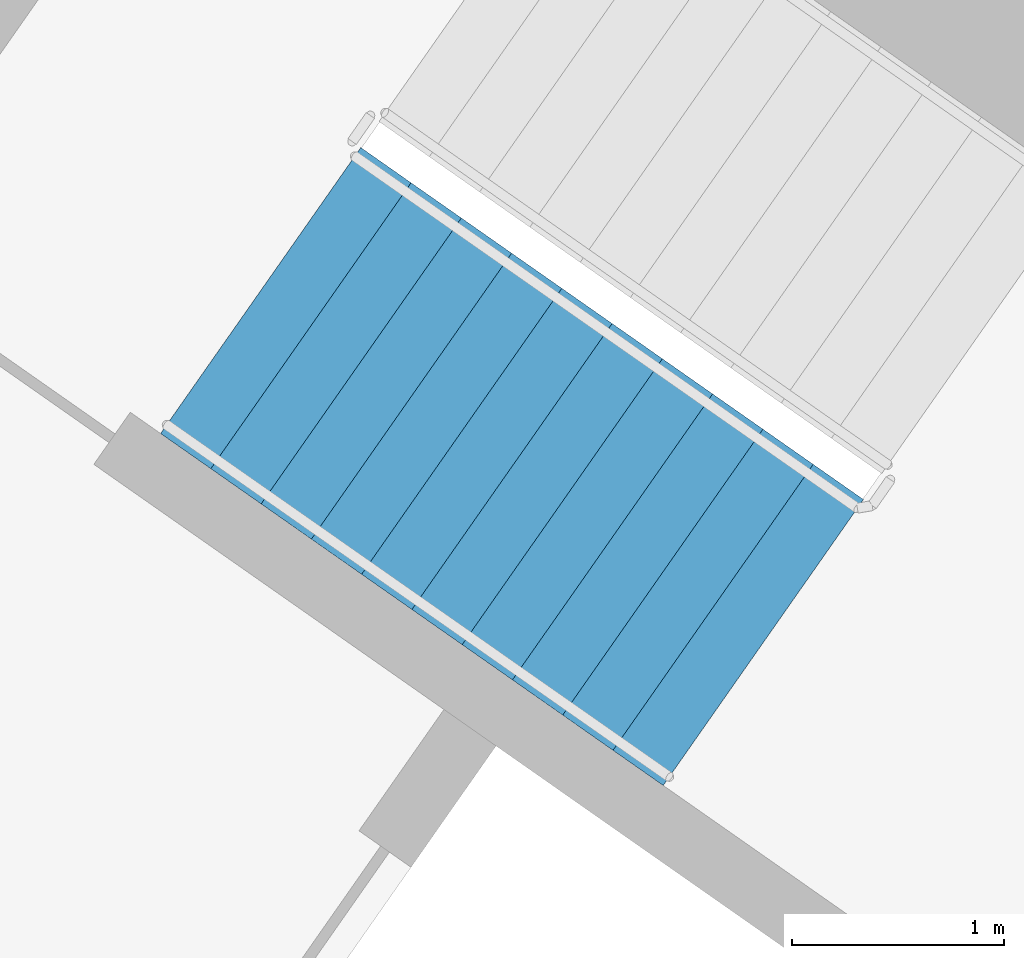
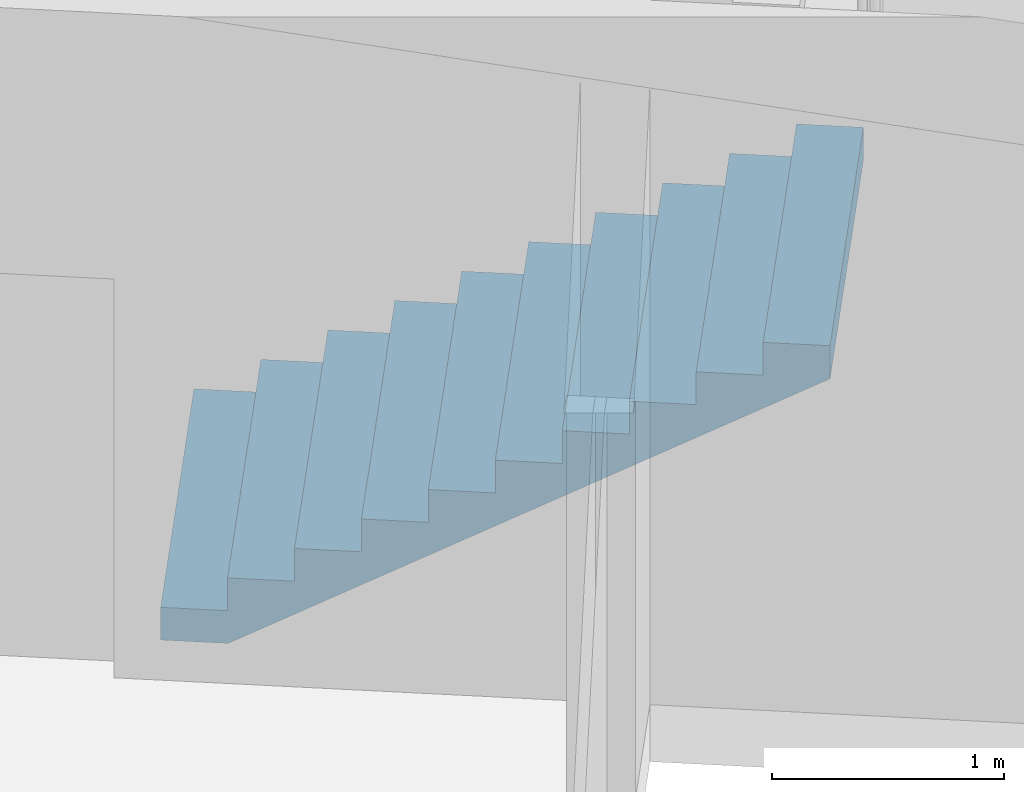
# One storey, part 12 of 31: 1 stair flight, 1 element without a shape of its own.
"""IFC4 building model written with IfcOpenShell, lengths in metres."""

import ifcopenshell
import ifcopenshell.guid

model = None  # the IFC model being written
_history = None  # IfcOwnerHistory: only IFC2X3 demands one
_inside = {}  # id of a spatial element -> (the spatial element, [elements in it])
_under = {}  # id of a project, library or spatial element -> (it, [spatial elements below it])
_declared = {}  # id of a project -> (the project, [libraries it declares])
_typed = {}  # id of a type object -> (the type object, [elements of that type])
_made_of = {}  # id of a material, layer set ... -> (it, [elements and type objects made of it])


def new_model(schema):
    """Start an empty IFC model of exactly this schema.

    Asked for "IFC4X3", IfcOpenShell would pick the latest addendum, in which some entities
    have other attributes; the version numbers below select the first issue.
    IFC2X3 requires an IfcOwnerHistory on every rooted entity: one is made here for all.
    """
    global model, _history
    if schema == "IFC4X3":
        model = ifcopenshell.file(schema_version=(4, 3, 0, 0))
    else:
        model = ifcopenshell.file(schema=schema)
    _inside.clear()
    _under.clear()
    _declared.clear()
    _typed.clear()
    _made_of.clear()
    _history = None
    if model.schema == "IFC2X3":
        org = make("IfcOrganization", Name="unknown")
        user = make(
            "IfcPersonAndOrganization",
            ThePerson=make("IfcPerson", FamilyName="unknown"),
            TheOrganization=org,
        )
        app = make(
            "IfcApplication",
            ApplicationDeveloper=org,
            Version="unknown",
            ApplicationFullName="unknown",
            ApplicationIdentifier="unknown",
        )
        _history = make(
            "IfcOwnerHistory",
            OwningUser=user,
            OwningApplication=app,
            ChangeAction="ADDED",
            CreationDate=0,
        )
    return model


def make(cls, **values):
    """One entity of the class cls with the attributes given. An attribute that is None is left unset."""
    return model.create_entity(
        cls, **{name: value for name, value in values.items() if value is not None}
    )


def rooted(cls, **values):
    """An entity with a GlobalId (a new one), such as an element, a storey or a relation."""
    return make(cls, GlobalId=ifcopenshell.guid.new(), OwnerHistory=_history, **values)


def si_unit(unit_type, name, prefix=None):
    """IfcSIUnit, for example si_unit("LENGTHUNIT", "METRE", prefix="MILLI")."""
    return make("IfcSIUnit", UnitType=unit_type, Prefix=prefix, Name=name)


def assignment(units):
    """IfcUnitAssignment: the units of a project."""
    return None if units is None else make("IfcUnitAssignment", Units=units)


def point(xyz):
    """IfcCartesianPoint."""
    return None if xyz is None else make("IfcCartesianPoint", Coordinates=xyz)


def direction(xyz):
    """IfcDirection."""
    return None if xyz is None else make("IfcDirection", DirectionRatios=xyz)


def frame(location, z_axis=None, x_axis=None):
    """IfcAxis2Placement3D, a coordinate frame: its origin and axes. An axis left out is left unset."""
    return make(
        "IfcAxis2Placement3D",
        Location=point(location),
        Axis=direction(z_axis),
        RefDirection=direction(x_axis),
    )


def origin():
    """The frame at (0, 0, 0) with its axes left unset."""
    return frame((0.0, 0.0, 0.0))


def place(relative_to, where):
    """IfcLocalPlacement: puts the frame where relative to a parent placement (None: the world)."""
    return make(
        "IfcLocalPlacement", PlacementRelTo=relative_to, RelativePlacement=where
    )


def context(
    kind, dimensions, precision=None, world=None, true_north=None, identifier=None
):
    """IfcGeometricRepresentationContext, for example the 3D "Model" context."""
    return make(
        "IfcGeometricRepresentationContext",
        ContextIdentifier=identifier,
        ContextType=kind,
        CoordinateSpaceDimension=dimensions,
        Precision=precision,
        WorldCoordinateSystem=world,
        TrueNorth=true_north,
    )


def subcontext(parent, identifier, kind, view, scale=None):
    """IfcGeometricRepresentationSubContext, for example "Body" below "Model"."""
    return make(
        "IfcGeometricRepresentationSubContext",
        ContextIdentifier=identifier,
        ContextType=kind,
        ParentContext=parent,
        TargetScale=scale,
        TargetView=view,
    )


def project(units=None, contexts=None):
    """IfcProject with its units and contexts."""
    return rooted(
        "IfcProject",
        Name="project",
        RepresentationContexts=contexts,
        UnitsInContext=assignment(units),
    )


def spatial(cls, under=None, at=None, **own):
    """A site, building, storey or space (cls), placed at a placement, below another one or the project."""
    s = rooted(cls, ObjectPlacement=at, **own)
    if under is not None:
        _under.setdefault(under.id(), (under, []))[1].append(s)
    return s


def faces_of(points, faces, orient=None, outer=None):
    """IfcFace entities. A face is a list of loops; a loop is a list of indices into points, from 0.

    orient and outer hold one flag for each loop. By default every Orientation is true, the
    first loop of a face is its IfcFaceOuterBound and the others are IfcFaceBound.
    """
    made = []
    for i, loops in enumerate(faces):
        bounds = []
        for j, loop in enumerate(loops):
            is_outer = j == 0 if outer is None else outer[i][j]
            bounds.append(
                make(
                    "IfcFaceOuterBound" if is_outer else "IfcFaceBound",
                    Bound=make("IfcPolyLoop", Polygon=[points[k] for k in loop]),
                    Orientation=True if orient is None else orient[i][j],
                )
            )
        made.append(make("IfcFace", Bounds=bounds))
    return made


def faceted_brep(points, faces, orient=None, outer=None, voids=None):
    """IfcFacetedBrep: a solid bounded by flat faces; with voids (closed shells), ...WithVoids."""
    shared = [point(p) for p in points]
    hull = make("IfcClosedShell", CfsFaces=faces_of(shared, faces, orient, outer))
    if voids is None:
        return make("IfcFacetedBrep", Outer=hull)
    return make(
        "IfcFacetedBrepWithVoids",
        Outer=hull,
        Voids=[
            make(cls, CfsFaces=faces_of(shared, fs, o, b)) for cls, fs, o, b in voids
        ],
    )


def shape(context_of_items, identifier, shape_type, items):
    """IfcShapeRepresentation: the items that make up one representation, for example the "Body"."""
    return make(
        "IfcShapeRepresentation",
        ContextOfItems=context_of_items,
        RepresentationIdentifier=identifier,
        RepresentationType=shape_type,
        Items=items,
    )


def material(Name=None, Category=None):
    """IfcMaterial."""
    return make("IfcMaterial", Name=Name, Category=Category)


def made_of(thing, what):
    """Note that an element or type object is made of a material, layer set ...; save() writes the relation."""
    if what is not None:
        _made_of.setdefault(what.id(), (what, []))[1].append(thing)
    return thing


def type_object(cls, material=None, **own):
    """A type object (cls), such as IfcWallType, which elements share."""
    return made_of(rooted(cls, **own), material)


def element(
    cls,
    number,
    at=None,
    inside=None,
    cuts=None,
    type_object=None,
    material=None,
    context=None,
    identifier="Body",
    shape_type=None,
    held_by="IfcProductDefinitionShape",
    body=None,
    shapes=None,
    **own,
):
    """One element of the class cls, such as IfcWall. Its Tag is "e" and its number.

    at: its placement. inside: the storey or other place that contains it. cuts: it is an
    opening in that element (IfcRelVoidsElement). A single representation is given by context,
    identifier, shape_type and body (its items); several are given by shapes. held_by: the class
    of the entity that holds the representations. save() writes the other relations.
    """
    e = rooted(cls, Tag="e%d" % number, ObjectPlacement=at, **own)
    if body is not None:
        shapes = [shape(context, identifier, shape_type, body)]
    if shapes is not None:
        e.Representation = make(held_by, Representations=shapes)
    if inside is not None:
        _inside.setdefault(inside.id(), (inside, []))[1].append(e)
    if cuts is not None:
        rooted(
            "IfcRelVoidsElement", RelatingBuildingElement=cuts, RelatedOpeningElement=e
        )
    if type_object is not None:
        _typed.setdefault(type_object.id(), (type_object, []))[1].append(e)
    return made_of(e, material)


def aggregate(whole, parts):
    """IfcRelAggregates: a whole, such as a stair, and the parts it consists of."""
    return rooted("IfcRelAggregates", RelatingObject=whole, RelatedObjects=parts)


def save(model, path):
    """Write the relations noted so far, then the file.

    IfcRelAggregates (storeys below a building ...), IfcRelContainedInSpatialStructure (elements
    in a storey), IfcRelDefinesByType, IfcRelAssociatesMaterial and IfcRelDeclares: one each for
    every whole, place, type object, material and project.
    """
    for whole, parts in _under.values():
        aggregate(whole, parts)
    for where, things in _inside.values():
        rooted(
            "IfcRelContainedInSpatialStructure",
            RelatedElements=things,
            RelatingStructure=where,
        )
    for kind, things in _typed.values():
        rooted("IfcRelDefinesByType", RelatedObjects=things, RelatingType=kind)
    for what, things in _made_of.values():
        rooted("IfcRelAssociatesMaterial", RelatedObjects=things, RelatingMaterial=what)
    for by, libraries in _declared.values():
        rooted("IfcRelDeclares", RelatingContext=by, RelatedDefinitions=libraries)
    model.write(path)


model = new_model("IFC4")

# Units and contexts
model_context = context("Model", 3, precision=1e-05, world=origin(), true_north=direction((0.0, 1.0)))
body_context = subcontext(model_context, "Body", "Model", "MODEL_VIEW")
ifc_project = project(units=[si_unit("LENGTHUNIT", "METRE"), si_unit("AREAUNIT", "SQUARE_METRE"), si_unit("VOLUMEUNIT", "CUBIC_METRE"), si_unit("PLANEANGLEUNIT", "RADIAN"), si_unit("MASSUNIT", "GRAM", prefix="KILO")], contexts=[model_context])

# Site, building, storey
site_placement = place(None, origin())
site = spatial("IfcSite", under=ifc_project, at=site_placement, CompositionType="ELEMENT")
building_placement = place(site_placement, origin())
building = spatial("IfcBuilding", under=site, at=building_placement, Name="Qamariyya Broadcast Tower", CompositionType="ELEMENT")
storey_placement = place(building_placement, frame((0.0, 0.0, 55.699951171875)))
storey = spatial("IfcBuildingStorey", under=building, at=storey_placement, Name="L10", CompositionType="ELEMENT", Elevation=55.699951171875)

# Stair, stair flight
ifc_material = material(Name="Concrete C50/60", Category="concrete")
stair_type = type_object("IfcStairType", Name="Exit stair 22 risers of 173 mm", PredefinedType="HALF_TURN_STAIR", material=ifc_material)
stair_placement = place(storey_placement, origin())
stair = element("IfcStair", 1, at=stair_placement, inside=storey, type_object=stair_type, Name="L10 Stair W2", PredefinedType="HALF_TURN_STAIR")
stair_flight_type = type_object("IfcStairFlightType", Name="Exit stair flight 11 risers of 173 mm", PredefinedType="STRAIGHT", material=ifc_material)
stair_flight_placement = place(storey_placement, frame((-41.59130859375, -49.15966796875, 0.0), z_axis=(0.0, 0.0, 1.0), x_axis=(0.819152044289, -0.573576436351, 0.0)))
stair_flight = element("IfcStairFlight", 2, at=stair_flight_placement, type_object=stair_flight_type, Name="ST-W2 flight 1", NumberOfRisers=11, NumberOfTreads=10, PredefinedType="STRAIGHT", RiserHeight=0.172727273, TreadLength=0.29, context=body_context, shape_type="Brep", body=[
    faceted_brep([(0.0, 0.824951171875, 0.0), (0.0, 0.824951171875, 0.172607421875), (0.2900390625, 0.824951171875, 0.172607421875), (0.2900390625, 0.824951171875, 0.345458984375), (0.580078125, 0.824951171875, 0.345458984375), (0.580078125, 0.824951171875, 0.51806640625), (0.8701171875, 0.824951171875, 0.51806640625), (0.8701171875, 0.824951171875, 0.69091796875), (1.159912109375, 0.824951171875, 0.69091796875), (1.159912109375, 0.824951171875, 0.863525390625), (1.449951171875, 0.824951171875, 0.863525390625), (1.449951171875, 0.824951171875, 1.036376953125), (1.739990234375, 0.824951171875, 1.036376953125), (1.739990234375, 0.824951171875, 1.208984375), (2.030029296875, 0.824951171875, 1.208984375), (2.030029296875, 0.824951171875, 1.3818359375), (2.320068359375, 0.824951171875, 1.3818359375), (2.320068359375, 0.824951171875, 1.554443359375), (2.610107421875, 0.824951171875, 1.554443359375), (2.610107421875, 0.824951171875, 1.727294921875), (2.89990234375, 0.824951171875, 1.727294921875), (2.89990234375, 0.824951171875, 1.552734375), (0.29296875, 0.824951171875, 0.0), (0.29296875, -0.824951171875, 0.0), (2.89990234375, -0.824951171875, 1.552734375), (2.89990234375, -0.824951171875, 1.727294921875), (2.610107421875, -0.824951171875, 1.727294921875), (2.610107421875, -0.824951171875, 1.554443359375), (2.320068359375, -0.824951171875, 1.554443359375), (2.320068359375, -0.824951171875, 1.3818359375), (2.030029296875, -0.824951171875, 1.3818359375), (2.030029296875, -0.824951171875, 1.208984375), (1.739990234375, -0.824951171875, 1.208984375), (1.739990234375, -0.824951171875, 1.036376953125), (1.449951171875, -0.824951171875, 1.036376953125), (1.449951171875, -0.824951171875, 0.863525390625), (1.159912109375, -0.824951171875, 0.863525390625), (1.159912109375, -0.824951171875, 0.69091796875), (0.8701171875, -0.824951171875, 0.69091796875), (0.8701171875, -0.824951171875, 0.51806640625), (0.580078125, -0.824951171875, 0.51806640625), (0.580078125, -0.824951171875, 0.345458984375), (0.2900390625, -0.824951171875, 0.345458984375), (0.2900390625, -0.824951171875, 0.172607421875), (0.0, -0.824951171875, 0.172607421875), (0.0, -0.824951171875, 0.0), (0.0, 0.10009765625, 0.0), (0.0, 0.086669921875, 0.0), (0.0, 0.0732421875, 0.0), (0.0, 0.06005859375, 0.0), (0.0, 0.046630859375, 0.0), (0.0, 0.033447265625, 0.0), (0.0, 0.02001953125, 0.0), (0.0, 0.006591796875, 0.0), (0.0, -0.006591796875, 0.0), (0.0, -0.02001953125, 0.0), (0.0, -0.033447265625, 0.0), (0.0, -0.046630859375, 0.0), (0.0, -0.06005859375, 0.0), (0.0, -0.0732421875, 0.0), (0.0, -0.086669921875, 0.0), (0.0, -0.10009765625, 0.0), (0.0, -0.10009765625, 0.172607421875), (0.0, -0.086669921875, 0.172607421875), (0.0, -0.0732421875, 0.172607421875), (0.0, -0.06005859375, 0.172607421875), (0.0, -0.046630859375, 0.172607421875), (0.0, -0.033447265625, 0.172607421875), (0.0, -0.02001953125, 0.172607421875), (0.0, -0.006591796875, 0.172607421875), (0.0, 0.006591796875, 0.172607421875), (0.0, 0.02001953125, 0.172607421875), (0.0, 0.033447265625, 0.172607421875), (0.0, 0.046630859375, 0.172607421875), (0.0, 0.06005859375, 0.172607421875), (0.0, 0.0732421875, 0.172607421875), (0.0, 0.086669921875, 0.172607421875), (0.0, 0.10009765625, 0.172607421875), (0.2900390625, -0.10009765625, 0.172607421875), (0.2900390625, -0.086669921875, 0.172607421875), (0.2900390625, -0.0732421875, 0.172607421875), (0.2900390625, -0.06005859375, 0.172607421875), (0.2900390625, -0.046630859375, 0.172607421875), (0.2900390625, -0.033447265625, 0.172607421875), (0.2900390625, -0.02001953125, 0.172607421875), (0.2900390625, -0.006591796875, 0.172607421875), (0.2900390625, 0.006591796875, 0.172607421875), (0.2900390625, 0.02001953125, 0.172607421875), (0.2900390625, 0.033447265625, 0.172607421875), (0.2900390625, 0.046630859375, 0.172607421875), (0.2900390625, 0.06005859375, 0.172607421875), (0.2900390625, 0.0732421875, 0.172607421875), (0.2900390625, 0.086669921875, 0.172607421875), (0.2900390625, 0.10009765625, 0.172607421875), (0.2900390625, -0.10009765625, 0.345458984375), (0.2900390625, -0.086669921875, 0.345458984375), (0.2900390625, -0.0732421875, 0.345458984375), (0.2900390625, -0.06005859375, 0.345458984375), (0.2900390625, -0.046630859375, 0.345458984375), (0.2900390625, -0.033447265625, 0.345458984375), (0.2900390625, -0.02001953125, 0.345458984375), (0.2900390625, -0.006591796875, 0.345458984375), (0.2900390625, 0.006591796875, 0.345458984375), (0.2900390625, 0.02001953125, 0.345458984375), (0.2900390625, 0.033447265625, 0.345458984375), (0.2900390625, 0.046630859375, 0.345458984375), (0.2900390625, 0.06005859375, 0.345458984375), (0.2900390625, 0.0732421875, 0.345458984375), (0.2900390625, 0.086669921875, 0.345458984375), (0.2900390625, 0.10009765625, 0.345458984375), (0.580078125, -0.10009765625, 0.345458984375), (0.580078125, -0.086669921875, 0.345458984375), (0.580078125, -0.0732421875, 0.345458984375), (0.580078125, -0.06005859375, 0.345458984375), (0.580078125, -0.046630859375, 0.345458984375), (0.580078125, -0.033447265625, 0.345458984375), (0.580078125, -0.02001953125, 0.345458984375), (0.580078125, -0.006591796875, 0.345458984375), (0.580078125, 0.006591796875, 0.345458984375), (0.580078125, 0.02001953125, 0.345458984375), (0.580078125, 0.033447265625, 0.345458984375), (0.580078125, 0.046630859375, 0.345458984375), (0.580078125, 0.06005859375, 0.345458984375), (0.580078125, 0.0732421875, 0.345458984375), (0.580078125, 0.086669921875, 0.345458984375), (0.580078125, 0.10009765625, 0.345458984375), (0.580078125, -0.10009765625, 0.51806640625), (0.580078125, -0.086669921875, 0.51806640625), (0.580078125, -0.0732421875, 0.51806640625), (0.580078125, -0.06005859375, 0.51806640625), (0.580078125, -0.046630859375, 0.51806640625), (0.580078125, -0.033447265625, 0.51806640625), (0.580078125, -0.02001953125, 0.51806640625), (0.580078125, -0.006591796875, 0.51806640625), (0.580078125, 0.006591796875, 0.51806640625), (0.580078125, 0.02001953125, 0.51806640625), (0.580078125, 0.033447265625, 0.51806640625), (0.580078125, 0.046630859375, 0.51806640625), (0.580078125, 0.06005859375, 0.51806640625), (0.580078125, 0.0732421875, 0.51806640625), (0.580078125, 0.086669921875, 0.51806640625), (0.580078125, 0.10009765625, 0.51806640625), (0.8701171875, -0.10009765625, 0.51806640625), (0.8701171875, -0.086669921875, 0.51806640625), (0.8701171875, -0.0732421875, 0.51806640625), (0.8701171875, -0.06005859375, 0.51806640625), (0.8701171875, -0.046630859375, 0.51806640625), (0.8701171875, -0.033447265625, 0.51806640625), (0.8701171875, -0.02001953125, 0.51806640625), (0.8701171875, -0.006591796875, 0.51806640625), (0.8701171875, 0.006591796875, 0.51806640625), (0.8701171875, 0.02001953125, 0.51806640625), (0.8701171875, 0.033447265625, 0.51806640625), (0.8701171875, 0.046630859375, 0.51806640625), (0.8701171875, 0.06005859375, 0.51806640625), (0.8701171875, 0.0732421875, 0.51806640625), (0.8701171875, 0.086669921875, 0.51806640625), (0.8701171875, 0.10009765625, 0.51806640625), (0.8701171875, -0.10009765625, 0.69091796875), (0.8701171875, -0.086669921875, 0.69091796875), (0.8701171875, -0.0732421875, 0.69091796875), (0.8701171875, -0.06005859375, 0.69091796875), (0.8701171875, -0.046630859375, 0.69091796875), (0.8701171875, -0.033447265625, 0.69091796875), (0.8701171875, -0.02001953125, 0.69091796875), (0.8701171875, -0.006591796875, 0.69091796875), (0.8701171875, 0.006591796875, 0.69091796875), (0.8701171875, 0.02001953125, 0.69091796875), (0.8701171875, 0.033447265625, 0.69091796875), (0.8701171875, 0.046630859375, 0.69091796875), (0.8701171875, 0.06005859375, 0.69091796875), (0.8701171875, 0.0732421875, 0.69091796875), (0.8701171875, 0.086669921875, 0.69091796875), (0.8701171875, 0.10009765625, 0.69091796875), (1.159912109375, -0.10009765625, 0.69091796875), (1.159912109375, -0.086669921875, 0.69091796875), (1.159912109375, -0.0732421875, 0.69091796875), (1.159912109375, -0.06005859375, 0.69091796875), (1.159912109375, -0.046630859375, 0.69091796875), (1.159912109375, -0.033447265625, 0.69091796875), (1.159912109375, -0.02001953125, 0.69091796875), (1.159912109375, -0.006591796875, 0.69091796875), (1.159912109375, 0.006591796875, 0.69091796875), (1.159912109375, 0.02001953125, 0.69091796875), (1.159912109375, 0.033447265625, 0.69091796875), (1.159912109375, 0.046630859375, 0.69091796875), (1.159912109375, 0.06005859375, 0.69091796875), (1.159912109375, 0.0732421875, 0.69091796875), (1.159912109375, 0.086669921875, 0.69091796875), (1.159912109375, 0.10009765625, 0.69091796875), (1.159912109375, -0.10009765625, 0.863525390625), (1.159912109375, -0.086669921875, 0.863525390625), (1.159912109375, -0.0732421875, 0.863525390625), (1.159912109375, -0.06005859375, 0.863525390625), (1.159912109375, -0.046630859375, 0.863525390625), (1.159912109375, -0.033447265625, 0.863525390625), (1.159912109375, -0.02001953125, 0.863525390625), (1.159912109375, -0.006591796875, 0.863525390625), (1.159912109375, 0.006591796875, 0.863525390625), (1.159912109375, 0.02001953125, 0.863525390625), (1.159912109375, 0.033447265625, 0.863525390625), (1.159912109375, 0.046630859375, 0.863525390625), (1.159912109375, 0.06005859375, 0.863525390625), (1.159912109375, 0.0732421875, 0.863525390625), (1.159912109375, 0.086669921875, 0.863525390625), (1.159912109375, 0.10009765625, 0.863525390625), (1.449951171875, -0.10009765625, 0.863525390625), (1.449951171875, -0.086669921875, 0.863525390625), (1.449951171875, -0.0732421875, 0.863525390625), (1.449951171875, -0.06005859375, 0.863525390625), (1.449951171875, -0.046630859375, 0.863525390625), (1.449951171875, -0.033447265625, 0.863525390625), (1.449951171875, -0.02001953125, 0.863525390625), (1.449951171875, -0.006591796875, 0.863525390625), (1.449951171875, 0.006591796875, 0.863525390625), (1.449951171875, 0.02001953125, 0.863525390625), (1.449951171875, 0.033447265625, 0.863525390625), (1.449951171875, 0.046630859375, 0.863525390625), (1.449951171875, 0.06005859375, 0.863525390625), (1.449951171875, 0.0732421875, 0.863525390625), (1.449951171875, 0.086669921875, 0.863525390625), (1.449951171875, 0.10009765625, 0.863525390625), (1.449951171875, -0.10009765625, 1.036376953125), (1.449951171875, -0.086669921875, 1.036376953125), (1.449951171875, -0.0732421875, 1.036376953125), (1.449951171875, -0.06005859375, 1.036376953125), (1.449951171875, -0.046630859375, 1.036376953125), (1.449951171875, -0.033447265625, 1.036376953125), (1.449951171875, -0.02001953125, 1.036376953125), (1.449951171875, -0.006591796875, 1.036376953125), (1.449951171875, 0.006591796875, 1.036376953125), (1.449951171875, 0.02001953125, 1.036376953125), (1.449951171875, 0.033447265625, 1.036376953125), (1.449951171875, 0.046630859375, 1.036376953125), (1.449951171875, 0.06005859375, 1.036376953125), (1.449951171875, 0.0732421875, 1.036376953125), (1.449951171875, 0.086669921875, 1.036376953125), (1.449951171875, 0.10009765625, 1.036376953125), (1.739990234375, -0.10009765625, 1.036376953125), (1.739990234375, -0.086669921875, 1.036376953125), (1.739990234375, -0.0732421875, 1.036376953125), (1.739990234375, -0.06005859375, 1.036376953125), (1.739990234375, -0.046630859375, 1.036376953125), (1.739990234375, -0.033447265625, 1.036376953125), (1.739990234375, -0.02001953125, 1.036376953125), (1.739990234375, -0.006591796875, 1.036376953125), (1.739990234375, 0.006591796875, 1.036376953125), (1.739990234375, 0.02001953125, 1.036376953125), (1.739990234375, 0.033447265625, 1.036376953125), (1.739990234375, 0.046630859375, 1.036376953125), (1.739990234375, 0.06005859375, 1.036376953125), (1.739990234375, 0.0732421875, 1.036376953125), (1.739990234375, 0.086669921875, 1.036376953125), (1.739990234375, 0.10009765625, 1.036376953125), (1.739990234375, -0.10009765625, 1.208984375), (1.739990234375, -0.086669921875, 1.208984375), (1.739990234375, -0.0732421875, 1.208984375), (1.739990234375, -0.06005859375, 1.208984375), (1.739990234375, -0.046630859375, 1.208984375), (1.739990234375, -0.033447265625, 1.208984375), (1.739990234375, -0.02001953125, 1.208984375), (1.739990234375, -0.006591796875, 1.208984375), (1.739990234375, 0.006591796875, 1.208984375), (1.739990234375, 0.02001953125, 1.208984375), (1.739990234375, 0.033447265625, 1.208984375), (1.739990234375, 0.046630859375, 1.208984375), (1.739990234375, 0.06005859375, 1.208984375), (1.739990234375, 0.0732421875, 1.208984375), (1.739990234375, 0.086669921875, 1.208984375), (1.739990234375, 0.10009765625, 1.208984375), (2.030029296875, -0.10009765625, 1.208984375), (2.030029296875, -0.086669921875, 1.208984375), (2.030029296875, -0.0732421875, 1.208984375), (2.030029296875, -0.06005859375, 1.208984375), (2.030029296875, -0.046630859375, 1.208984375), (2.030029296875, -0.033447265625, 1.208984375), (2.030029296875, -0.02001953125, 1.208984375), (2.030029296875, -0.006591796875, 1.208984375), (2.030029296875, 0.006591796875, 1.208984375), (2.030029296875, 0.02001953125, 1.208984375), (2.030029296875, 0.033447265625, 1.208984375), (2.030029296875, 0.046630859375, 1.208984375), (2.030029296875, 0.06005859375, 1.208984375), (2.030029296875, 0.0732421875, 1.208984375), (2.030029296875, 0.086669921875, 1.208984375), (2.030029296875, 0.10009765625, 1.208984375), (2.030029296875, -0.10009765625, 1.3818359375), (2.030029296875, -0.086669921875, 1.3818359375), (2.030029296875, -0.0732421875, 1.3818359375), (2.030029296875, -0.06005859375, 1.3818359375), (2.030029296875, -0.046630859375, 1.3818359375), (2.030029296875, -0.033447265625, 1.3818359375), (2.030029296875, -0.02001953125, 1.3818359375), (2.030029296875, -0.006591796875, 1.3818359375), (2.030029296875, 0.006591796875, 1.3818359375), (2.030029296875, 0.02001953125, 1.3818359375), (2.030029296875, 0.033447265625, 1.3818359375), (2.030029296875, 0.046630859375, 1.3818359375), (2.030029296875, 0.06005859375, 1.3818359375), (2.030029296875, 0.0732421875, 1.3818359375), (2.030029296875, 0.086669921875, 1.3818359375), (2.030029296875, 0.10009765625, 1.3818359375), (2.320068359375, -0.10009765625, 1.3818359375), (2.320068359375, -0.086669921875, 1.3818359375), (2.320068359375, -0.0732421875, 1.3818359375), (2.320068359375, -0.06005859375, 1.3818359375), (2.320068359375, -0.046630859375, 1.3818359375), (2.320068359375, -0.033447265625, 1.3818359375), (2.320068359375, -0.02001953125, 1.3818359375), (2.320068359375, -0.006591796875, 1.3818359375), (2.320068359375, 0.006591796875, 1.3818359375), (2.320068359375, 0.02001953125, 1.3818359375), (2.320068359375, 0.033447265625, 1.3818359375), (2.320068359375, 0.046630859375, 1.3818359375), (2.320068359375, 0.06005859375, 1.3818359375), (2.320068359375, 0.0732421875, 1.3818359375), (2.320068359375, 0.086669921875, 1.3818359375), (2.320068359375, 0.10009765625, 1.3818359375), (2.320068359375, -0.10009765625, 1.554443359375), (2.320068359375, -0.086669921875, 1.554443359375), (2.320068359375, -0.0732421875, 1.554443359375), (2.320068359375, -0.06005859375, 1.554443359375), (2.320068359375, -0.046630859375, 1.554443359375), (2.320068359375, -0.033447265625, 1.554443359375), (2.320068359375, -0.02001953125, 1.554443359375), (2.320068359375, -0.006591796875, 1.554443359375), (2.320068359375, 0.006591796875, 1.554443359375), (2.320068359375, 0.02001953125, 1.554443359375), (2.320068359375, 0.033447265625, 1.554443359375), (2.320068359375, 0.046630859375, 1.554443359375), (2.320068359375, 0.06005859375, 1.554443359375), (2.320068359375, 0.0732421875, 1.554443359375), (2.320068359375, 0.086669921875, 1.554443359375), (2.320068359375, 0.10009765625, 1.554443359375), (2.610107421875, -0.10009765625, 1.554443359375), (2.610107421875, -0.086669921875, 1.554443359375), (2.610107421875, -0.0732421875, 1.554443359375), (2.610107421875, -0.06005859375, 1.554443359375), (2.610107421875, -0.046630859375, 1.554443359375), (2.610107421875, -0.033447265625, 1.554443359375), (2.610107421875, -0.02001953125, 1.554443359375), (2.610107421875, -0.006591796875, 1.554443359375), (2.610107421875, 0.006591796875, 1.554443359375), (2.610107421875, 0.02001953125, 1.554443359375), (2.610107421875, 0.033447265625, 1.554443359375), (2.610107421875, 0.046630859375, 1.554443359375), (2.610107421875, 0.06005859375, 1.554443359375), (2.610107421875, 0.0732421875, 1.554443359375), (2.610107421875, 0.086669921875, 1.554443359375), (2.610107421875, 0.10009765625, 1.554443359375), (2.610107421875, -0.10009765625, 1.727294921875), (2.610107421875, -0.086669921875, 1.727294921875), (2.610107421875, -0.0732421875, 1.727294921875), (2.610107421875, -0.06005859375, 1.727294921875), (2.610107421875, -0.046630859375, 1.727294921875), (2.610107421875, -0.033447265625, 1.727294921875), (2.610107421875, -0.02001953125, 1.727294921875), (2.610107421875, -0.006591796875, 1.727294921875), (2.610107421875, 0.006591796875, 1.727294921875), (2.610107421875, 0.02001953125, 1.727294921875), (2.610107421875, 0.033447265625, 1.727294921875), (2.610107421875, 0.046630859375, 1.727294921875), (2.610107421875, 0.06005859375, 1.727294921875), (2.610107421875, 0.0732421875, 1.727294921875), (2.610107421875, 0.086669921875, 1.727294921875), (2.610107421875, 0.10009765625, 1.727294921875), (2.89990234375, -0.10009765625, 1.727294921875), (2.89990234375, -0.086669921875, 1.727294921875), (2.89990234375, -0.0732421875, 1.727294921875), (2.89990234375, -0.06005859375, 1.727294921875), (2.89990234375, -0.046630859375, 1.727294921875), (2.89990234375, -0.033447265625, 1.727294921875), (2.89990234375, -0.02001953125, 1.727294921875), (2.89990234375, -0.006591796875, 1.727294921875), (2.89990234375, 0.006591796875, 1.727294921875), (2.89990234375, 0.02001953125, 1.727294921875), (2.89990234375, 0.033447265625, 1.727294921875), (2.89990234375, 0.046630859375, 1.727294921875), (2.89990234375, 0.06005859375, 1.727294921875), (2.89990234375, 0.0732421875, 1.727294921875), (2.89990234375, 0.086669921875, 1.727294921875), (2.89990234375, 0.10009765625, 1.727294921875), (2.89990234375, -0.10009765625, 1.552734375), (2.89990234375, -0.086669921875, 1.552734375), (2.89990234375, -0.0732421875, 1.552734375), (2.89990234375, -0.06005859375, 1.552734375), (2.89990234375, -0.046630859375, 1.552734375), (2.89990234375, -0.033447265625, 1.552734375), (2.89990234375, -0.02001953125, 1.552734375), (2.89990234375, -0.006591796875, 1.552734375), (2.89990234375, 0.006591796875, 1.552734375), (2.89990234375, 0.02001953125, 1.552734375), (2.89990234375, 0.033447265625, 1.552734375), (2.89990234375, 0.046630859375, 1.552734375), (2.89990234375, 0.06005859375, 1.552734375), (2.89990234375, 0.0732421875, 1.552734375), (2.89990234375, 0.086669921875, 1.552734375), (2.89990234375, 0.10009765625, 1.552734375), (0.29296875, -0.10009765625, 0.0), (0.29296875, -0.086669921875, 0.0), (0.29296875, -0.0732421875, 0.0), (0.29296875, -0.06005859375, 0.0), (0.29296875, -0.046630859375, 0.0), (0.29296875, -0.033447265625, 0.0), (0.29296875, -0.02001953125, 0.0), (0.29296875, -0.006591796875, 0.0), (0.29296875, 0.006591796875, 0.0), (0.29296875, 0.02001953125, 0.0), (0.29296875, 0.033447265625, 0.0), (0.29296875, 0.046630859375, 0.0), (0.29296875, 0.06005859375, 0.0), (0.29296875, 0.0732421875, 0.0), (0.29296875, 0.086669921875, 0.0), (0.29296875, 0.10009765625, 0.0)], [[[0, 1, 2, 3, 4, 5, 6, 7, 8, 9, 10, 11, 12, 13, 14, 15, 16, 17, 18, 19, 20, 21, 22]], [[23, 24, 25, 26, 27, 28, 29, 30, 31, 32, 33, 34, 35, 36, 37, 38, 39, 40, 41, 42, 43, 44, 45]], [[0, 46, 47, 48, 49, 50, 51, 52, 53, 54, 55, 56, 57, 58, 59, 60, 61, 45, 44, 62, 63, 64, 65, 66, 67, 68, 69, 70, 71, 72, 73, 74, 75, 76, 77, 1]], [[1, 77, 76, 75, 74, 73, 72, 71, 70, 69, 68, 67, 66, 65, 64, 63, 62, 44, 43, 78, 79, 80, 81, 82, 83, 84, 85, 86, 87, 88, 89, 90, 91, 92, 93, 2]], [[2, 93, 92, 91, 90, 89, 88, 87, 86, 85, 84, 83, 82, 81, 80, 79, 78, 43, 42, 94, 95, 96, 97, 98, 99, 100, 101, 102, 103, 104, 105, 106, 107, 108, 109, 3]], [[3, 109, 108, 107, 106, 105, 104, 103, 102, 101, 100, 99, 98, 97, 96, 95, 94, 42, 41, 110, 111, 112, 113, 114, 115, 116, 117, 118, 119, 120, 121, 122, 123, 124, 125, 4]], [[4, 125, 124, 123, 122, 121, 120, 119, 118, 117, 116, 115, 114, 113, 112, 111, 110, 41, 40, 126, 127, 128, 129, 130, 131, 132, 133, 134, 135, 136, 137, 138, 139, 140, 141, 5]], [[5, 141, 140, 139, 138, 137, 136, 135, 134, 133, 132, 131, 130, 129, 128, 127, 126, 40, 39, 142, 143, 144, 145, 146, 147, 148, 149, 150, 151, 152, 153, 154, 155, 156, 157, 6]], [[6, 157, 156, 155, 154, 153, 152, 151, 150, 149, 148, 147, 146, 145, 144, 143, 142, 39, 38, 158, 159, 160, 161, 162, 163, 164, 165, 166, 167, 168, 169, 170, 171, 172, 173, 7]], [[7, 173, 172, 171, 170, 169, 168, 167, 166, 165, 164, 163, 162, 161, 160, 159, 158, 38, 37, 174, 175, 176, 177, 178, 179, 180, 181, 182, 183, 184, 185, 186, 187, 188, 189, 8]], [[8, 189, 188, 187, 186, 185, 184, 183, 182, 181, 180, 179, 178, 177, 176, 175, 174, 37, 36, 190, 191, 192, 193, 194, 195, 196, 197, 198, 199, 200, 201, 202, 203, 204, 205, 9]], [[9, 205, 204, 203, 202, 201, 200, 199, 198, 197, 196, 195, 194, 193, 192, 191, 190, 36, 35, 206, 207, 208, 209, 210, 211, 212, 213, 214, 215, 216, 217, 218, 219, 220, 221, 10]], [[10, 221, 220, 219, 218, 217, 216, 215, 214, 213, 212, 211, 210, 209, 208, 207, 206, 35, 34, 222, 223, 224, 225, 226, 227, 228, 229, 230, 231, 232, 233, 234, 235, 236, 237, 11]], [[11, 237, 236, 235, 234, 233, 232, 231, 230, 229, 228, 227, 226, 225, 224, 223, 222, 34, 33, 238, 239, 240, 241, 242, 243, 244, 245, 246, 247, 248, 249, 250, 251, 252, 253, 12]], [[12, 253, 252, 251, 250, 249, 248, 247, 246, 245, 244, 243, 242, 241, 240, 239, 238, 33, 32, 254, 255, 256, 257, 258, 259, 260, 261, 262, 263, 264, 265, 266, 267, 268, 269, 13]], [[13, 269, 268, 267, 266, 265, 264, 263, 262, 261, 260, 259, 258, 257, 256, 255, 254, 32, 31, 270, 271, 272, 273, 274, 275, 276, 277, 278, 279, 280, 281, 282, 283, 284, 285, 14]], [[14, 285, 284, 283, 282, 281, 280, 279, 278, 277, 276, 275, 274, 273, 272, 271, 270, 31, 30, 286, 287, 288, 289, 290, 291, 292, 293, 294, 295, 296, 297, 298, 299, 300, 301, 15]], [[15, 301, 300, 299, 298, 297, 296, 295, 294, 293, 292, 291, 290, 289, 288, 287, 286, 30, 29, 302, 303, 304, 305, 306, 307, 308, 309, 310, 311, 312, 313, 314, 315, 316, 317, 16]], [[16, 317, 316, 315, 314, 313, 312, 311, 310, 309, 308, 307, 306, 305, 304, 303, 302, 29, 28, 318, 319, 320, 321, 322, 323, 324, 325, 326, 327, 328, 329, 330, 331, 332, 333, 17]], [[17, 333, 332, 331, 330, 329, 328, 327, 326, 325, 324, 323, 322, 321, 320, 319, 318, 28, 27, 334, 335, 336, 337, 338, 339, 340, 341, 342, 343, 344, 345, 346, 347, 348, 349, 18]], [[18, 349, 348, 347, 346, 345, 344, 343, 342, 341, 340, 339, 338, 337, 336, 335, 334, 27, 26, 350, 351, 352, 353, 354, 355, 356, 357, 358, 359, 360, 361, 362, 363, 364, 365, 19]], [[19, 365, 364, 363, 362, 361, 360, 359, 358, 357, 356, 355, 354, 353, 352, 351, 350, 26, 25, 366, 367, 368, 369, 370, 371, 372, 373, 374, 375, 376, 377, 378, 379, 380, 381, 20]], [[20, 381, 380, 379, 378, 377, 376, 375, 374, 373, 372, 371, 370, 369, 368, 367, 366, 25, 24, 382, 383, 384, 385, 386, 387, 388, 389, 390, 391, 392, 393, 394, 395, 396, 397, 21]], [[21, 397, 396, 395, 394, 393, 392, 391, 390, 389, 388, 387, 386, 385, 384, 383, 382, 24, 23, 398, 399, 400, 401, 402, 403, 404, 405, 406, 407, 408, 409, 410, 411, 412, 413, 22]], [[22, 413, 412, 411, 410, 409, 408, 407, 406, 405, 404, 403, 402, 401, 400, 399, 398, 23, 45, 61, 60, 59, 58, 57, 56, 55, 54, 53, 52, 51, 50, 49, 48, 47, 46, 0]]]),
])
aggregate(stair, [stair_flight])

save(model, "model.ifc")
